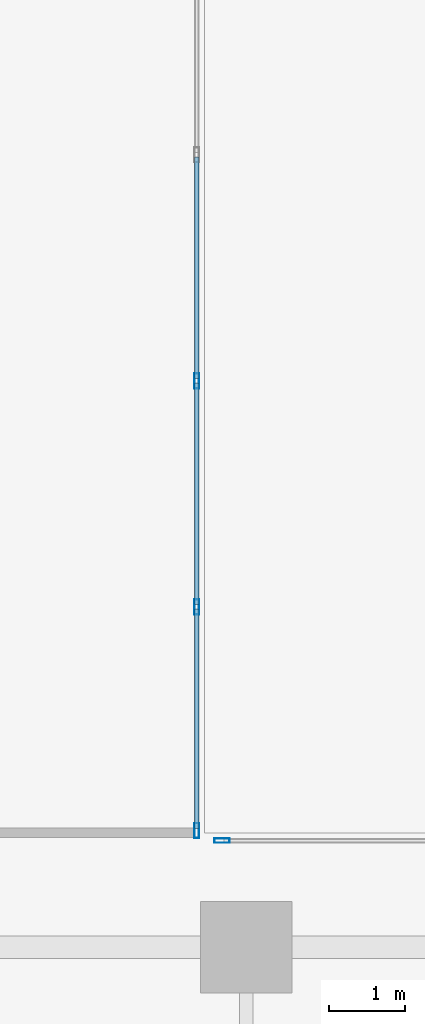
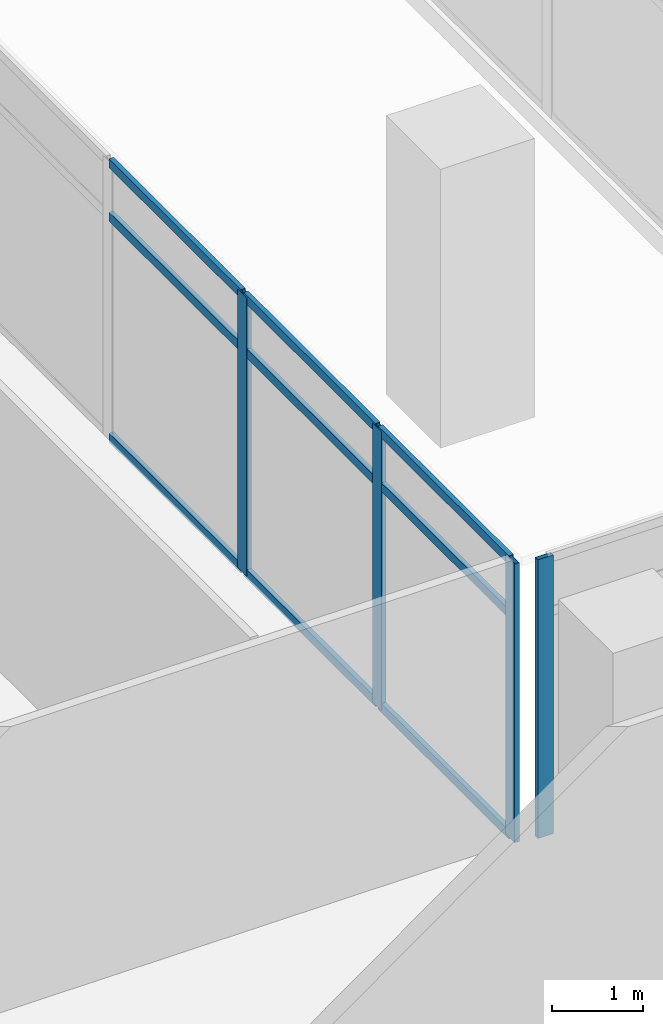
# One storey, part 20 of 40: 13 members, 2 elements without a shape of their own.
"""IFC4 building model written with IfcOpenShell, lengths in metres."""

import ifcopenshell
import ifcopenshell.guid

model = None  # the IFC model being written
_history = None  # IfcOwnerHistory: only IFC2X3 demands one
_inside = {}  # id of a spatial element -> (the spatial element, [elements in it])
_under = {}  # id of a project, library or spatial element -> (it, [spatial elements below it])
_declared = {}  # id of a project -> (the project, [libraries it declares])
_typed = {}  # id of a type object -> (the type object, [elements of that type])
_made_of = {}  # id of a material, layer set ... -> (it, [elements and type objects made of it])


def new_model(schema):
    """Start an empty IFC model of exactly this schema.

    Asked for "IFC4X3", IfcOpenShell would pick the latest addendum, in which some entities
    have other attributes; the version numbers below select the first issue.
    IFC2X3 requires an IfcOwnerHistory on every rooted entity: one is made here for all.
    """
    global model, _history
    if schema == "IFC4X3":
        model = ifcopenshell.file(schema_version=(4, 3, 0, 0))
    else:
        model = ifcopenshell.file(schema=schema)
    _inside.clear()
    _under.clear()
    _declared.clear()
    _typed.clear()
    _made_of.clear()
    _history = None
    if model.schema == "IFC2X3":
        org = make("IfcOrganization", Name="unknown")
        user = make(
            "IfcPersonAndOrganization",
            ThePerson=make("IfcPerson", FamilyName="unknown"),
            TheOrganization=org,
        )
        app = make(
            "IfcApplication",
            ApplicationDeveloper=org,
            Version="unknown",
            ApplicationFullName="unknown",
            ApplicationIdentifier="unknown",
        )
        _history = make(
            "IfcOwnerHistory",
            OwningUser=user,
            OwningApplication=app,
            ChangeAction="ADDED",
            CreationDate=0,
        )
    return model


def make(cls, **values):
    """One entity of the class cls with the attributes given. An attribute that is None is left unset."""
    return model.create_entity(
        cls, **{name: value for name, value in values.items() if value is not None}
    )


def rooted(cls, **values):
    """An entity with a GlobalId (a new one), such as an element, a storey or a relation."""
    return make(cls, GlobalId=ifcopenshell.guid.new(), OwnerHistory=_history, **values)


def si_unit(unit_type, name, prefix=None):
    """IfcSIUnit, for example si_unit("LENGTHUNIT", "METRE", prefix="MILLI")."""
    return make("IfcSIUnit", UnitType=unit_type, Prefix=prefix, Name=name)


def assignment(units):
    """IfcUnitAssignment: the units of a project."""
    return None if units is None else make("IfcUnitAssignment", Units=units)


def point(xyz):
    """IfcCartesianPoint."""
    return None if xyz is None else make("IfcCartesianPoint", Coordinates=xyz)


def direction(xyz):
    """IfcDirection."""
    return None if xyz is None else make("IfcDirection", DirectionRatios=xyz)


def frame(location, z_axis=None, x_axis=None):
    """IfcAxis2Placement3D, a coordinate frame: its origin and axes. An axis left out is left unset."""
    return make(
        "IfcAxis2Placement3D",
        Location=point(location),
        Axis=direction(z_axis),
        RefDirection=direction(x_axis),
    )


def frame_2d(location, x_axis=None):
    """IfcAxis2Placement2D, a coordinate frame in the plane: its origin and x axis."""
    return make(
        "IfcAxis2Placement2D", Location=point(location), RefDirection=direction(x_axis)
    )


def origin():
    """The frame at (0, 0, 0) with its axes left unset."""
    return frame((0.0, 0.0, 0.0))


def origin_2d():
    """The frame at (0, 0) in the plane with its x axis left unset."""
    return frame_2d((0.0, 0.0))


def place(relative_to, where):
    """IfcLocalPlacement: puts the frame where relative to a parent placement (None: the world)."""
    return make(
        "IfcLocalPlacement", PlacementRelTo=relative_to, RelativePlacement=where
    )


def context(
    kind, dimensions, precision=None, world=None, true_north=None, identifier=None
):
    """IfcGeometricRepresentationContext, for example the 3D "Model" context."""
    return make(
        "IfcGeometricRepresentationContext",
        ContextIdentifier=identifier,
        ContextType=kind,
        CoordinateSpaceDimension=dimensions,
        Precision=precision,
        WorldCoordinateSystem=world,
        TrueNorth=true_north,
    )


def subcontext(parent, identifier, kind, view, scale=None):
    """IfcGeometricRepresentationSubContext, for example "Body" below "Model"."""
    return make(
        "IfcGeometricRepresentationSubContext",
        ContextIdentifier=identifier,
        ContextType=kind,
        ParentContext=parent,
        TargetScale=scale,
        TargetView=view,
    )


def project(units=None, contexts=None):
    """IfcProject with its units and contexts."""
    return rooted(
        "IfcProject",
        Name="project",
        RepresentationContexts=contexts,
        UnitsInContext=assignment(units),
    )


def spatial(cls, under=None, at=None, **own):
    """A site, building, storey or space (cls), placed at a placement, below another one or the project."""
    s = rooted(cls, ObjectPlacement=at, **own)
    if under is not None:
        _under.setdefault(under.id(), (under, []))[1].append(s)
    return s


def profile(cls, at=None, kind="AREA", **sizes):
    """A parametric profile (cls). Its sizes go by their IFC names, for example OverallWidth=200.0."""
    return make(cls, ProfileType=kind, Position=at, **sizes)


def hollow_rectangle(**sizes):
    """IfcRectangleHollowProfileDef."""
    return profile("IfcRectangleHollowProfileDef", **sizes)


def extrude(swept, where, along, depth):
    """IfcExtrudedAreaSolid: the profile swept, set in the frame where, extruded along a direction by depth."""
    return make(
        "IfcExtrudedAreaSolid",
        SweptArea=swept,
        Position=where,
        ExtrudedDirection=direction(along),
        Depth=depth,
    )


def shape(context_of_items, identifier, shape_type, items):
    """IfcShapeRepresentation: the items that make up one representation, for example the "Body"."""
    return make(
        "IfcShapeRepresentation",
        ContextOfItems=context_of_items,
        RepresentationIdentifier=identifier,
        RepresentationType=shape_type,
        Items=items,
    )


def source(mapping_origin, context_of_items, identifier, shape_type, items):
    """IfcRepresentationMap: a shape defined once, which mapped items show again and again."""
    return make(
        "IfcRepresentationMap",
        MappingOrigin=mapping_origin,
        MappedRepresentation=shape(context_of_items, identifier, shape_type, items),
    )


def transform(
    local_origin,
    x_axis=None,
    y_axis=None,
    z_axis=None,
    scale=None,
    scale2=None,
    scale3=None,
    uniform=True,
):
    """IfcCartesianTransformationOperator3D, or its non-uniform kind. x_axis, y_axis, z_axis: its Axis1, 2, 3."""
    if uniform:
        return make(
            "IfcCartesianTransformationOperator3D",
            Axis1=direction(x_axis),
            Axis2=direction(y_axis),
            LocalOrigin=point(local_origin),
            Scale=scale,
            Axis3=direction(z_axis),
        )
    return make(
        "IfcCartesianTransformationOperator3DnonUniform",
        Axis1=direction(x_axis),
        Axis2=direction(y_axis),
        LocalOrigin=point(local_origin),
        Scale=scale,
        Axis3=direction(z_axis),
        Scale2=scale2,
        Scale3=scale3,
    )


def mapped(mapping_source, mapping_target):
    """IfcMappedItem: shows the shape of a source again, moved by a transform."""
    return make(
        "IfcMappedItem", MappingSource=mapping_source, MappingTarget=mapping_target
    )


def material(Name=None, Category=None):
    """IfcMaterial."""
    return make("IfcMaterial", Name=Name, Category=Category)


def material_profile(
    of_material, cross_section, Name=None, Category=None, Priority=None
):
    """IfcMaterialProfile: a cross section and its material."""
    return make(
        "IfcMaterialProfile",
        Name=Name,
        Material=of_material,
        Profile=cross_section,
        Priority=Priority,
        Category=Category,
    )


def profile_set(profiles, Name=None, composite=None):
    """IfcMaterialProfileSet."""
    return make(
        "IfcMaterialProfileSet",
        Name=Name,
        MaterialProfiles=profiles,
        CompositeProfile=composite,
    )


def made_of(thing, what):
    """Note that an element or type object is made of a material, layer set ...; save() writes the relation."""
    if what is not None:
        _made_of.setdefault(what.id(), (what, []))[1].append(thing)
    return thing


def type_object(cls, material=None, **own):
    """A type object (cls), such as IfcWallType, which elements share."""
    return made_of(rooted(cls, **own), material)


def element(
    cls,
    number,
    at=None,
    inside=None,
    cuts=None,
    type_object=None,
    material=None,
    context=None,
    identifier="Body",
    shape_type=None,
    held_by="IfcProductDefinitionShape",
    body=None,
    shapes=None,
    **own,
):
    """One element of the class cls, such as IfcWall. Its Tag is "e" and its number.

    at: its placement. inside: the storey or other place that contains it. cuts: it is an
    opening in that element (IfcRelVoidsElement). A single representation is given by context,
    identifier, shape_type and body (its items); several are given by shapes. held_by: the class
    of the entity that holds the representations. save() writes the other relations.
    """
    e = rooted(cls, Tag="e%d" % number, ObjectPlacement=at, **own)
    if body is not None:
        shapes = [shape(context, identifier, shape_type, body)]
    if shapes is not None:
        e.Representation = make(held_by, Representations=shapes)
    if inside is not None:
        _inside.setdefault(inside.id(), (inside, []))[1].append(e)
    if cuts is not None:
        rooted(
            "IfcRelVoidsElement", RelatingBuildingElement=cuts, RelatedOpeningElement=e
        )
    if type_object is not None:
        _typed.setdefault(type_object.id(), (type_object, []))[1].append(e)
    return made_of(e, material)


def aggregate(whole, parts):
    """IfcRelAggregates: a whole, such as a stair, and the parts it consists of."""
    return rooted("IfcRelAggregates", RelatingObject=whole, RelatedObjects=parts)


def save(model, path):
    """Write the relations noted so far, then the file.

    IfcRelAggregates (storeys below a building ...), IfcRelContainedInSpatialStructure (elements
    in a storey), IfcRelDefinesByType, IfcRelAssociatesMaterial and IfcRelDeclares: one each for
    every whole, place, type object, material and project.
    """
    for whole, parts in _under.values():
        aggregate(whole, parts)
    for where, things in _inside.values():
        rooted(
            "IfcRelContainedInSpatialStructure",
            RelatedElements=things,
            RelatingStructure=where,
        )
    for kind, things in _typed.values():
        rooted("IfcRelDefinesByType", RelatedObjects=things, RelatingType=kind)
    for what, things in _made_of.values():
        rooted("IfcRelAssociatesMaterial", RelatedObjects=things, RelatingMaterial=what)
    for by, libraries in _declared.values():
        rooted("IfcRelDeclares", RelatingContext=by, RelatedDefinitions=libraries)
    model.write(path)


model = new_model("IFC4")

# Units and contexts
model_context = context("Model", 3, precision=1e-05, world=origin(), true_north=direction((0.0, 1.0)))
body_context = subcontext(model_context, "Body", "Model", "MODEL_VIEW")
ifc_project = project(units=[si_unit("LENGTHUNIT", "METRE"), si_unit("AREAUNIT", "SQUARE_METRE"), si_unit("VOLUMEUNIT", "CUBIC_METRE"), si_unit("PLANEANGLEUNIT", "RADIAN"), si_unit("MASSUNIT", "GRAM", prefix="KILO")], contexts=[model_context])

# Site, building, storey
site_placement = place(None, origin())
site = spatial("IfcSite", under=ifc_project, at=site_placement, CompositionType="ELEMENT")
building_placement = place(site_placement, origin())
building = spatial("IfcBuilding", under=site, at=building_placement, Name="Khomas Fold Tower", CompositionType="ELEMENT")
storey_placement = place(building_placement, frame((0.0, 0.0, 184.699951171875)))
storey = spatial("IfcBuildingStorey", under=building, at=storey_placement, Name="L40", CompositionType="ELEMENT", Elevation=184.699951171875)

# Curtain wall, members
ifc_material_1 = material(Name="Aluminium framed double glazing", Category="aluminium")
curtain_wall_type = type_object("IfcCurtainWallType", Name="Notch glazing GN-CW", PredefinedType="NOTDEFINED", material=ifc_material_1)
curtain_wall_1_placement = place(storey_placement, origin())
curtain_wall_1 = element("IfcCurtainWall", 1, at=curtain_wall_1_placement, inside=storey, type_object=curtain_wall_type, Name="Notch glazing run", PredefinedType="NOTDEFINED")
ifc_material_2 = material(Name="Aluminium", Category="aluminium")
ifc_material_profile_1 = material_profile(ifc_material_2, hollow_rectangle(XDim=0.06005859375, YDim=0.1201171875, WallThickness=0.00390625, at=origin_2d()), Name="Notch glazing transom GN-CW-T")
ifc_profile_set_1 = profile_set([ifc_material_profile_1], Name="Aluminium")
member_type_1 = type_object("IfcMemberType", Name="Notch glazing transom GN-CW-T", PredefinedType="USERDEFINED", material=ifc_profile_set_1)
shared_shape_1 = source(origin(), body_context, "Body", "SweptSolid", [
    extrude(hollow_rectangle(XDim=0.06005859375, YDim=0.1201171875, WallThickness=0.00390625, at=origin_2d()), origin(), (0.0, 0.0, 1.0), 2.876708984375),
])
member_1_placement = place(storey_placement, frame((33.85009765625, 33.06005859375, 0.030029296875), z_axis=(0.0, 1.0, 0.0), x_axis=(-1.0, 0.0, 0.0)))
member_1 = element("IfcMember", 2, at=member_1_placement, type_object=member_type_1, Name="GN-CW transom 1.1", ObjectType="TRANSOM", PredefinedType="USERDEFINED", context=body_context, shape_type="MappedRepresentation", body=[
    mapped(shared_shape_1, transform((0.0, 0.0, 0.0))),
])
member_2_placement = place(storey_placement, frame((33.85009765625, 33.06005859375, 3.0), z_axis=(0.0, 1.0, 0.0), x_axis=(-1.0, 0.0, 0.0)))
member_2 = element("IfcMember", 3, at=member_2_placement, type_object=member_type_1, Name="GN-CW transom 1.2", ObjectType="TRANSOM", PredefinedType="USERDEFINED", context=body_context, shape_type="MappedRepresentation", body=[
    mapped(shared_shape_1, transform((0.0, 0.0, 0.0))),
])
member_3_placement = place(storey_placement, frame((33.85009765625, 33.06005859375, 3.719970703125), z_axis=(0.0, 1.0, 0.0), x_axis=(-1.0, 0.0, 0.0)))
member_3 = element("IfcMember", 4, at=member_3_placement, type_object=member_type_1, Name="GN-CW transom 1.3", ObjectType="TRANSOM", PredefinedType="USERDEFINED", context=body_context, shape_type="MappedRepresentation", body=[
    mapped(shared_shape_1, transform((0.0, 0.0, 0.0))),
])
shared_shape_2 = source(origin(), body_context, "Body", "SweptSolid", [
    extrude(hollow_rectangle(XDim=0.06005859375, YDim=0.1201171875, WallThickness=0.00390625, at=origin_2d()), origin(), (0.0, 0.0, 1.0), 2.90673828125),
])
member_4_placement = place(storey_placement, frame((33.85009765625, 35.99658203125, 0.030029296875), z_axis=(0.0, 1.0, 0.0), x_axis=(-1.0, 0.0, 0.0)))
member_4 = element("IfcMember", 5, at=member_4_placement, type_object=member_type_1, Name="GN-CW transom 2.1", ObjectType="TRANSOM", PredefinedType="USERDEFINED", context=body_context, shape_type="MappedRepresentation", body=[
    mapped(shared_shape_2, transform((0.0, 0.0, 0.0))),
])
member_5_placement = place(storey_placement, frame((33.85009765625, 35.99658203125, 3.0), z_axis=(0.0, 1.0, 0.0), x_axis=(-1.0, 0.0, 0.0)))
member_5 = element("IfcMember", 6, at=member_5_placement, type_object=member_type_1, Name="GN-CW transom 2.2", ObjectType="TRANSOM", PredefinedType="USERDEFINED", context=body_context, shape_type="MappedRepresentation", body=[
    mapped(shared_shape_2, transform((0.0, 0.0, 0.0))),
])
member_6_placement = place(storey_placement, frame((33.85009765625, 35.99658203125, 3.719970703125), z_axis=(0.0, 1.0, 0.0), x_axis=(-1.0, 0.0, 0.0)))
member_6 = element("IfcMember", 7, at=member_6_placement, type_object=member_type_1, Name="GN-CW transom 2.3", ObjectType="TRANSOM", PredefinedType="USERDEFINED", context=body_context, shape_type="MappedRepresentation", body=[
    mapped(shared_shape_2, transform((0.0, 0.0, 0.0))),
])
member_7_placement = place(storey_placement, frame((33.85009765625, 38.96337890625, 0.030029296875), z_axis=(0.0, 1.0, 0.0), x_axis=(-1.0, 0.0, 0.0)))
member_7 = element("IfcMember", 8, at=member_7_placement, type_object=member_type_1, Name="GN-CW transom 3.1", ObjectType="TRANSOM", PredefinedType="USERDEFINED", context=body_context, shape_type="MappedRepresentation", body=[
    mapped(shared_shape_2, transform((0.0, 0.0, 0.0))),
])
member_8_placement = place(storey_placement, frame((33.85009765625, 38.96337890625, 3.0), z_axis=(0.0, 1.0, 0.0), x_axis=(-1.0, 0.0, 0.0)))
member_8 = element("IfcMember", 9, at=member_8_placement, type_object=member_type_1, Name="GN-CW transom 3.2", ObjectType="TRANSOM", PredefinedType="USERDEFINED", context=body_context, shape_type="MappedRepresentation", body=[
    mapped(shared_shape_2, transform((0.0, 0.0, 0.0))),
])
member_9_placement = place(storey_placement, frame((33.85009765625, 38.96337890625, 3.719970703125), z_axis=(0.0, 1.0, 0.0), x_axis=(-1.0, 0.0, 0.0)))
member_9 = element("IfcMember", 10, at=member_9_placement, type_object=member_type_1, Name="GN-CW transom 3.3", ObjectType="TRANSOM", PredefinedType="USERDEFINED", context=body_context, shape_type="MappedRepresentation", body=[
    mapped(shared_shape_2, transform((0.0, 0.0, 0.0))),
])

# Curtain wall, member
curtain_wall_2_placement = place(storey_placement, origin())
curtain_wall_2 = element("IfcCurtainWall", 11, at=curtain_wall_2_placement, inside=storey, type_object=curtain_wall_type, Name="Notch glazing run", PredefinedType="NOTDEFINED")
ifc_material_3 = material(Name="Aluminium", Category="aluminium")
ifc_material_profile_2 = material_profile(ifc_material_3, hollow_rectangle(XDim=0.06005859375, YDim=0.199951171875, WallThickness=0.00390625, at=origin_2d()), Name="Notch glazing mullion GN-CW-M")
ifc_profile_set_2 = profile_set([ifc_material_profile_2], Name="Aluminium")
member_type_2 = type_object("IfcMemberType", Name="Notch glazing mullion GN-CW-M", PredefinedType="MULLION", material=ifc_profile_set_2)
shared_shape_3 = source(origin(), body_context, "Body", "SweptSolid", [
    extrude(hollow_rectangle(XDim=0.06005859375, YDim=0.199951171875, WallThickness=0.00390625, at=origin_2d()), origin(), (0.0, 0.0, 1.0), 3.75),
])
member_10_placement = place(storey_placement, frame((34.179931640625, 32.89990234375, 0.0), z_axis=(0.0, 0.0, 1.0), x_axis=(0.0, -1.0, 0.0)))
member_10 = element("IfcMember", 12, at=member_10_placement, type_object=member_type_2, Name="GN-CW mullion 3", PredefinedType="MULLION", context=body_context, shape_type="MappedRepresentation", body=[
    mapped(shared_shape_3, transform((0.0, 0.0, 0.0))),
])
aggregate(curtain_wall_2, [member_10])

# Member
member_11_placement = place(storey_placement, frame((33.85009765625, 33.030029296875, 0.0), z_axis=(0.0, 0.0, 1.0), x_axis=(-1.0, 0.0, 0.0)))
member_11 = element("IfcMember", 13, at=member_11_placement, type_object=member_type_2, Name="GN-CW mullion 1", PredefinedType="MULLION", context=body_context, shape_type="MappedRepresentation", body=[
    mapped(shared_shape_3, transform((0.0, 0.0, 0.0))),
])

member_12_placement = place(storey_placement, frame((33.85009765625, 35.966552734375, 0.0), z_axis=(0.0, 0.0, 1.0), x_axis=(-1.0, 0.0, 0.0)))
member_12 = element("IfcMember", 14, at=member_12_placement, type_object=member_type_2, Name="GN-CW mullion 2", PredefinedType="MULLION", context=body_context, shape_type="MappedRepresentation", body=[
    mapped(shared_shape_3, transform((0.0, 0.0, 0.0))),
])

member_13_placement = place(storey_placement, frame((33.85009765625, 38.933349609375, 0.0), z_axis=(0.0, 0.0, 1.0), x_axis=(-1.0, 0.0, 0.0)))
member_13 = element("IfcMember", 15, at=member_13_placement, type_object=member_type_2, Name="GN-CW mullion 3", PredefinedType="MULLION", context=body_context, shape_type="MappedRepresentation", body=[
    mapped(shared_shape_3, transform((0.0, 0.0, 0.0))),
])

aggregate(curtain_wall_1, [member_11, member_12, member_13, member_1, member_2, member_3, member_4, member_5, member_6, member_7, member_8, member_9])

save(model, "model.ifc")
